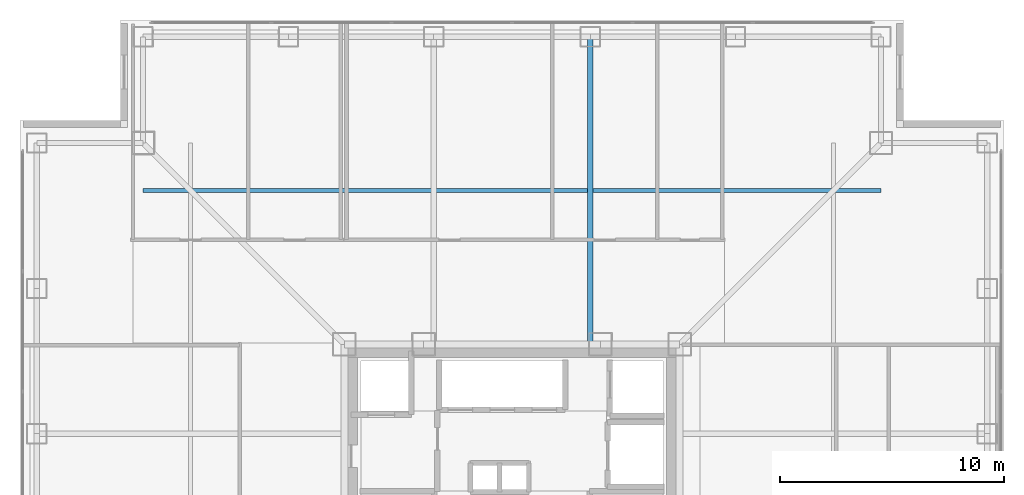
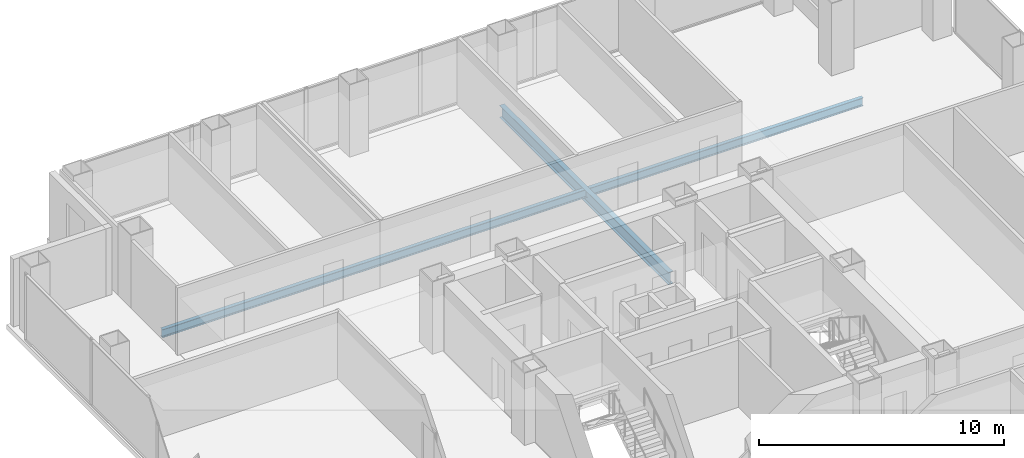
# One storey, part 10 of 17: 2 beams.
"""IFC4 building model written with IfcOpenShell, lengths in metres."""

from ifc_helpers import new_model, si_unit, direction, frame, origin, origin_2d, place, context, subcontext, project, spatial, i_section, extrude, material, material_profile, profile_set, type_object, element, save


model = new_model("IFC4")

# Units and contexts
model_context = context("Model", 3, precision=1e-05, world=origin(), true_north=direction((0.0, 1.0)))
body_context = subcontext(model_context, "Body", "Model", "MODEL_VIEW")
ifc_project = project(units=[si_unit("LENGTHUNIT", "METRE"), si_unit("AREAUNIT", "SQUARE_METRE"), si_unit("VOLUMEUNIT", "CUBIC_METRE"), si_unit("PLANEANGLEUNIT", "RADIAN"), si_unit("MASSUNIT", "GRAM", prefix="KILO")], contexts=[model_context])

# Site, building, storey
site_placement = place(None, origin())
site = spatial("IfcSite", under=ifc_project, at=site_placement, CompositionType="ELEMENT")
building_placement = place(site_placement, origin())
building = spatial("IfcBuilding", under=site, at=building_placement, Name="Trevonay Congress Spire", CompositionType="ELEMENT")
storey_placement = place(building_placement, frame((0.0, 0.0, 108.39990234375)))
storey = spatial("IfcBuildingStorey", under=building, at=storey_placement, Name="L27", CompositionType="ELEMENT", Elevation=108.39990234375)

# Beams
ifc_material = material(Name="Steel ASTM A572 Grade 50", Category="steel")
ifc_material_profile_1 = material_profile(ifc_material, i_section(OverallWidth=0.22998046875, OverallDepth=0.616943359375, WebThickness=0.01318359375, FlangeThickness=0.022216796875, FilletRadius=0.01611328125, at=origin_2d()), Name="W610x140")
ifc_profile_set_1 = profile_set([ifc_material_profile_1], Name="Steel ASTM A572 Grade 50")
beam_type_1 = type_object("IfcBeamType", Name="BM-GIRD-W610X140", PredefinedType="BEAM", material=ifc_profile_set_1)
beam_1_placement = place(storey_placement, frame((3.5, 7.5, -0.54833984375), z_axis=(0.0, 1.0, 0.0), x_axis=(-1.0, 0.0, 0.0)))
element("IfcBeam", 1, at=beam_1_placement, inside=storey, type_object=beam_type_1, Name="L27 structural beam BM-L27-GN-P", PredefinedType="BEAM", context=body_context, shape_type="SweptSolid", body=[
    extrude(i_section(OverallWidth=0.22998046875, OverallDepth=0.616943359375, WebThickness=0.01318359375, FlangeThickness=0.022216796875, FilletRadius=0.01611328125, at=origin_2d()), origin(), (0.0, 0.0, 1.0), 13.75),
])
ifc_material_profile_2 = material_profile(ifc_material, i_section(OverallWidth=0.177978515625, OverallDepth=0.406982421875, WebThickness=0.0078125, FlangeThickness=0.0126953125, FilletRadius=0.012939453125, at=origin_2d()), Name="W410x60")
ifc_profile_set_2 = profile_set([ifc_material_profile_2], Name="Steel ASTM A572 Grade 50")
beam_type_2 = type_object("IfcBeamType", Name="JS-COMP-W410X60", PredefinedType="JOIST", material=ifc_profile_set_2)
beam_2_placement = place(storey_placement, frame((-16.5, 14.375, -0.443359375), z_axis=(1.0, 0.0, 0.0), x_axis=(0.0, 1.0, 0.0)))
element("IfcBeam", 2, at=beam_2_placement, inside=storey, type_object=beam_type_2, Name="L27 structural beam JS-L27-RING-N", PredefinedType="JOIST", context=body_context, shape_type="SweptSolid", body=[
    extrude(i_section(OverallWidth=0.177978515625, OverallDepth=0.406982421875, WebThickness=0.0078125, FlangeThickness=0.0126953125, FilletRadius=0.012939453125, at=origin_2d()), origin(), (0.0, 0.0, 1.0), 33.0),
])

save(model, "model.ifc")
